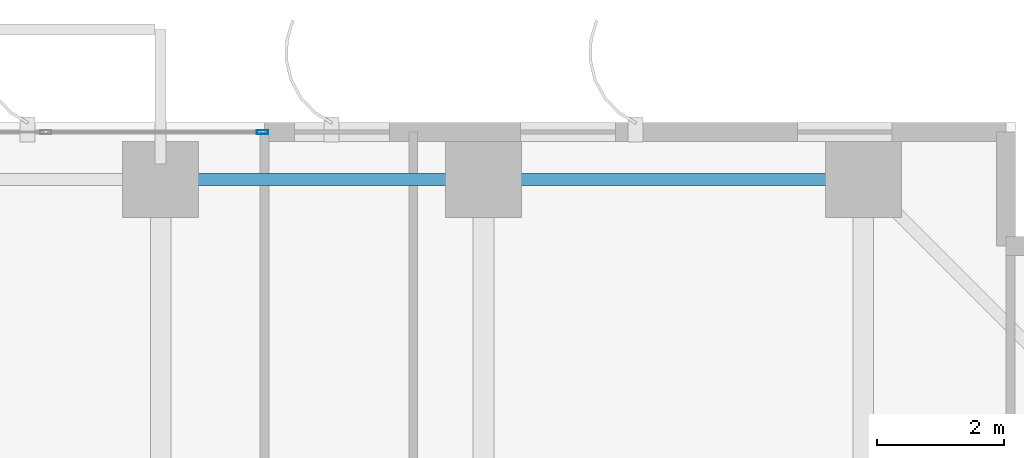
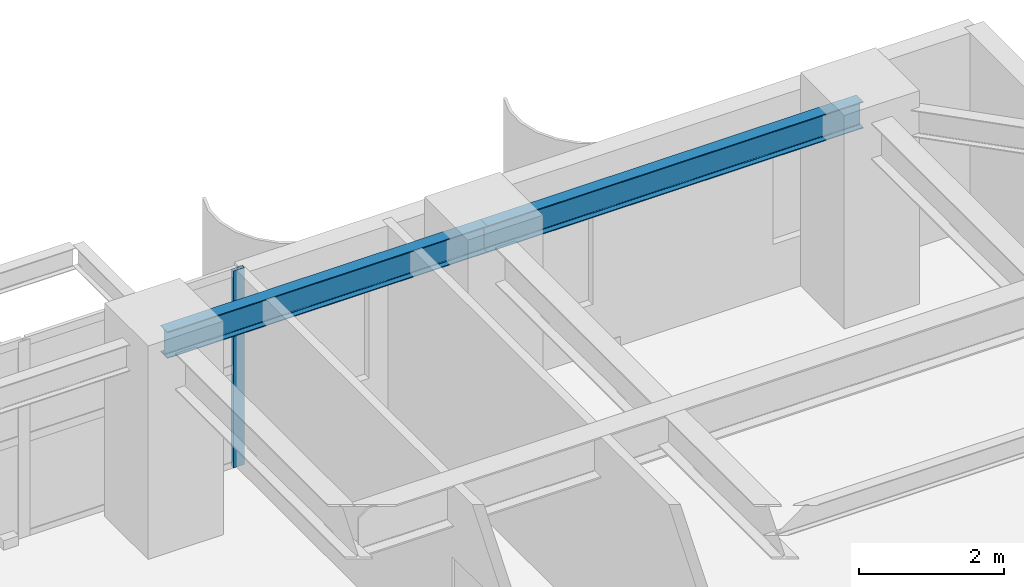
# One storey, part 15 of 25: 2 beams, 1 member, 1 element without a shape of its own.
"""IFC4 building model written with IfcOpenShell, lengths in metres."""

from ifc_helpers import new_model, si_unit, direction, frame, origin, origin_2d, place, context, subcontext, project, spatial, hollow_rectangle, i_section, extrude, source, transform, mapped, material, layer, layer_set, material_profile, profile_set, type_object, element, aggregate, save


model = new_model("IFC4")

# Units and contexts
model_context = context("Model", 3, precision=1e-05, world=origin(), true_north=direction((0.0, 1.0)))
body_context = subcontext(model_context, "Body", "Model", "MODEL_VIEW")
ifc_project = project(units=[si_unit("LENGTHUNIT", "METRE"), si_unit("AREAUNIT", "SQUARE_METRE"), si_unit("VOLUMEUNIT", "CUBIC_METRE"), si_unit("PLANEANGLEUNIT", "RADIAN"), si_unit("MASSUNIT", "GRAM", prefix="KILO")], contexts=[model_context])

# Site, building, storey
site_placement = place(None, origin())
site = spatial("IfcSite", under=ifc_project, at=site_placement, CompositionType="ELEMENT")
building_placement = place(site_placement, origin())
building = spatial("IfcBuilding", under=site, at=building_placement, Name="Khoralis Quay Care Tower", CompositionType="ELEMENT")
storey_placement = place(building_placement, frame((0.0, 0.0, 65.699951171875)))
storey = spatial("IfcBuildingStorey", under=building, at=storey_placement, Name="L17", CompositionType="ELEMENT", Elevation=65.699951171875)

# Beams
ifc_material_1 = material(Name="Steel S355", Category="steel")
ifc_material_profile_1 = material_profile(ifc_material_1, i_section(OverallWidth=0.18994140625, OverallDepth=0.449951171875, WebThickness=0.009521484375, FlangeThickness=0.0146484375, FilletRadius=0.02099609375, at=origin_2d()), Name="Steel S355")
ifc_profile_set_1 = profile_set([ifc_material_profile_1], Name="Steel S355")
beam_type = type_object("IfcBeamType", Name="BM-IPE450", PredefinedType="SPANDREL", material=ifc_profile_set_1)
shared_shape_1 = source(origin(), body_context, "Body", "SweptSolid", [
    extrude(i_section(OverallWidth=0.18994140625, OverallDepth=0.449951171875, WebThickness=0.009521484375, FlangeThickness=0.0146484375, FilletRadius=0.02099609375, at=origin_2d()), origin(), (0.0, 0.0, 1.0), 6.0),
])
beam_1_placement = place(storey_placement, frame((36.0, 47.10009765625, 3.094970703125), z_axis=(1.0, 0.0, 0.0), x_axis=(0.0, 1.0, 0.0)))
element("IfcBeam", 1, at=beam_1_placement, inside=storey, type_object=beam_type, Name="BM-TSP-L17-12", PredefinedType="SPANDREL", context=body_context, shape_type="MappedRepresentation", body=[
    mapped(shared_shape_1, transform((0.0, 0.0, 0.0), scale=1.0)),
])
shared_shape_2 = source(origin(), body_context, "Body", "SweptSolid", [
    extrude(i_section(OverallWidth=0.18994140625, OverallDepth=0.449951171875, WebThickness=0.009521484375, FlangeThickness=0.0146484375, FilletRadius=0.02099609375, at=origin_2d()), origin(), (0.0, 0.0, 1.0), 5.10009765625),
])
beam_2_placement = place(storey_placement, frame((30.89990234375, 47.10009765625, 3.094970703125), z_axis=(1.0, 0.0, 0.0), x_axis=(0.0, 1.0, 0.0)))
element("IfcBeam", 2, at=beam_2_placement, inside=storey, type_object=beam_type, Name="BM-TSP-L17-11", PredefinedType="SPANDREL", context=body_context, shape_type="MappedRepresentation", body=[
    mapped(shared_shape_2, transform((0.0, 0.0, 0.0), scale=1.0)),
])

# Curtain wall, member
ifc_material_2 = material(Name="Pale anodised aluminium", Category="aluminium")
ifc_layer = layer(ifc_material_2, 0.179931640625)
ifc_layer_set = layer_set([ifc_layer], Name="Pale anodised aluminium")
curtain_wall_type = type_object("IfcCurtainWallType", Name="CW-SYS-Z1", PredefinedType="NOTDEFINED", material=ifc_layer_set)
curtain_wall_placement = place(storey_placement, origin())
curtain_wall = element("IfcCurtainWall", 3, at=curtain_wall_placement, inside=storey, type_object=curtain_wall_type, Name="L17 Unitised Curtain Wall CW-L17-P1-E10", PredefinedType="NOTDEFINED")
ifc_material_profile_2 = material_profile(ifc_material_2, hollow_rectangle(XDim=0.06494140625, YDim=0.179931640625, WallThickness=0.00390625, at=origin_2d()), Name="Pale anodised aluminium")
ifc_profile_set_2 = profile_set([ifc_material_profile_2], Name="Pale anodised aluminium")
member_type = type_object("IfcMemberType", Name="CW-MUL-180", PredefinedType="MULLION", material=ifc_profile_set_2)
shared_shape_3 = source(origin(), body_context, "Body", "SweptSolid", [
    extrude(hollow_rectangle(XDim=0.06494140625, YDim=0.179931640625, WallThickness=0.00390625, at=origin_2d()), origin(), (0.0, 0.0, 1.0), 3.320068359375),
])
member_placement = place(storey_placement, frame((32.510009765625, 47.85009765625, 0.0), z_axis=(0.0, 0.0, 1.0), x_axis=(0.0, -1.0, 0.0)))
member = element("IfcMember", 4, at=member_placement, type_object=member_type, Name="CW1 mullion 1", PredefinedType="MULLION", context=body_context, shape_type="MappedRepresentation", body=[
    mapped(shared_shape_3, transform((0.0, 0.0, 0.0), scale=1.0)),
])
aggregate(curtain_wall, [member])

save(model, "model.ifc")
